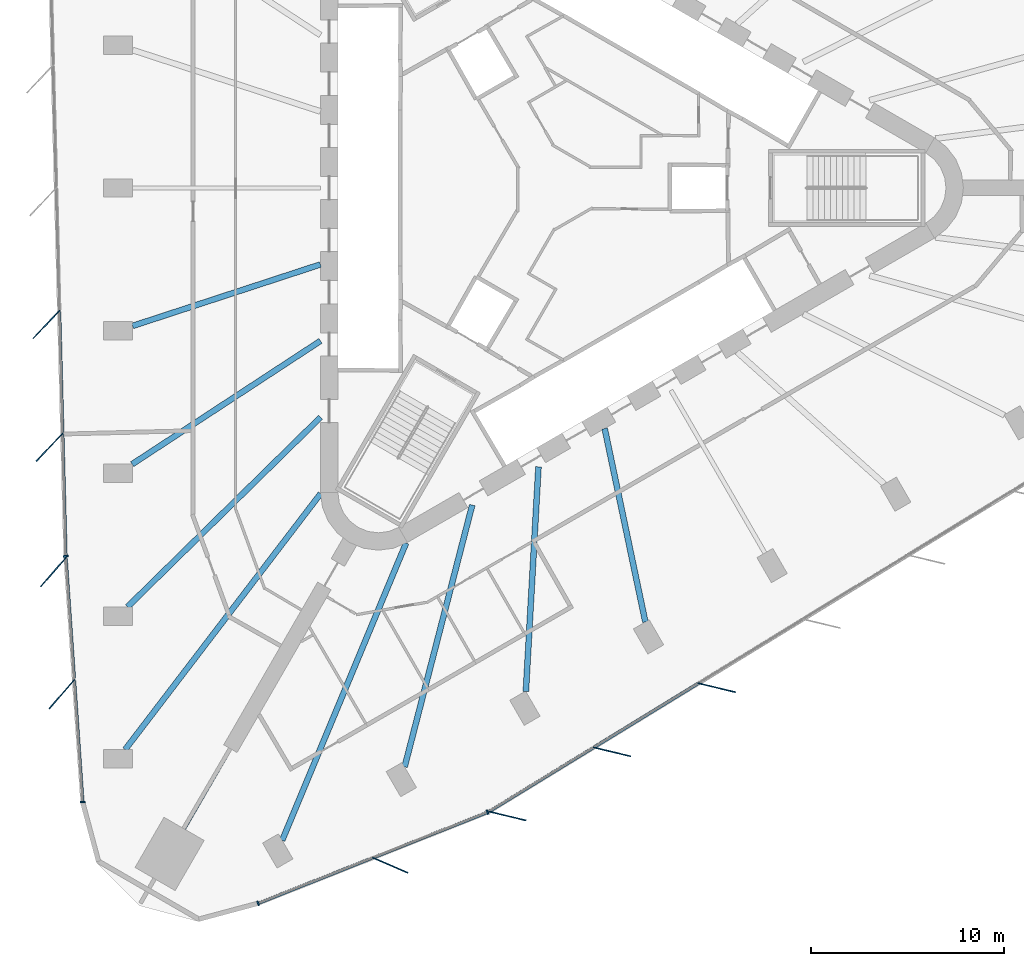
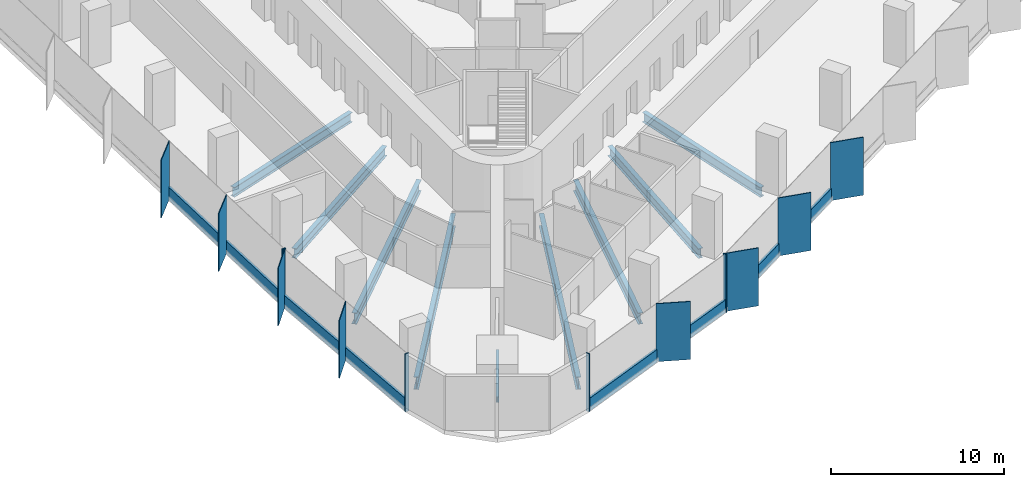
# One storey, part 2 of 14: 20 members, 9 beams, 4 elements without a shape of their own.
"""IFC4 building model written with IfcOpenShell, lengths in metres."""

from ifc_helpers import new_model, si_unit, direction, frame, origin, origin_2d, place, context, subcontext, project, spatial, rectangle, i_section, extrude, material, material_profile, profile_set, type_object, element, aggregate, save


model = new_model("IFC4")

# Units and contexts
model_context = context("Model", 3, precision=1e-05, world=origin(), true_north=direction((0.0, 1.0)))
body_context = subcontext(model_context, "Body", "Model", "MODEL_VIEW")
ifc_project = project(units=[si_unit("LENGTHUNIT", "METRE"), si_unit("AREAUNIT", "SQUARE_METRE"), si_unit("VOLUMEUNIT", "CUBIC_METRE"), si_unit("PLANEANGLEUNIT", "RADIAN"), si_unit("MASSUNIT", "GRAM", prefix="KILO")], contexts=[model_context])

# Site, building, storey
site_placement = place(None, origin())
site = spatial("IfcSite", under=ifc_project, at=site_placement, CompositionType="ELEMENT")
building_placement = place(site_placement, origin())
building = spatial("IfcBuilding", under=site, at=building_placement, Name="Tanit Gate Tower", CompositionType="ELEMENT")
storey_placement = place(building_placement, frame((0.0, 0.0, 148.0)))
storey = spatial("IfcBuildingStorey", under=building, at=storey_placement, Name="L32", CompositionType="ELEMENT", Elevation=148.0)

# Curtain wall, members
ifc_material_1 = material(Name="Aluminium bronze anodised and glass", Category="aluminium")
curtain_wall_type = type_object("IfcCurtainWallType", Name="Curtain wall typical low", PredefinedType="NOTDEFINED", material=ifc_material_1)
curtain_wall_1_placement = place(storey_placement, origin())
curtain_wall_1 = element("IfcCurtainWall", 1, at=curtain_wall_1_placement, inside=storey, type_object=curtain_wall_type, Name="Curtain wall L32 W2", PredefinedType="NOTDEFINED")
ifc_material_2 = material(Name="Aluminium bronze anodised", Category="aluminium")
ifc_material_profile_1 = material_profile(ifc_material_2, rectangle(XDim=2.0, YDim=0.055908203125, at=origin_2d()), Name="56x2000 bronze fin mullion")
ifc_profile_set_1 = profile_set([ifc_material_profile_1], Name="Aluminium bronze anodised")
member_type_1 = type_object("IfcMemberType", Name="FIN MULLION 56x2000 bronze", PredefinedType="MULLION", material=ifc_profile_set_1)
member_1_placement = place(storey_placement, frame((-26.29541015625, -7.067138671875, -0.300048828125), z_axis=(0.0, 0.0, 1.0), x_axis=(0.688538110764, 0.725200158595, 0.0)))
member_1 = element("IfcMember", 2, at=member_1_placement, type_object=member_type_1, Name="Fin mullion L32 W2.5", PredefinedType="MULLION", context=body_context, shape_type="SweptSolid", body=[
    extrude(rectangle(XDim=2.0, YDim=0.055908203125, at=origin_2d()), origin(), (0.0, 0.0, 1.0), 4.10009765625),
])
member_2_placement = place(storey_placement, frame((-26.130615234375, -13.4248046875, -0.300048828125), z_axis=(0.0, 0.0, 1.0), x_axis=(0.688538110764, 0.725200158595, 0.0)))
member_2 = element("IfcMember", 3, at=member_2_placement, type_object=member_type_1, Name="Fin mullion L32 W2.6", PredefinedType="MULLION", context=body_context, shape_type="SweptSolid", body=[
    extrude(rectangle(XDim=2.0, YDim=0.055908203125, at=origin_2d()), origin(), (0.0, 0.0, 1.0), 4.10009765625),
])

curtain_wall_2_placement = place(storey_placement, origin())
curtain_wall_2 = element("IfcCurtainWall", 4, at=curtain_wall_2_placement, inside=storey, type_object=curtain_wall_type, Name="Curtain wall L32 W3", PredefinedType="NOTDEFINED")
member_3_placement = place(storey_placement, frame((-25.930908203125, -19.890625, -0.300048828125), z_axis=(0.0, 0.0, 1.0), x_axis=(0.656773444634, 0.754087954037, 0.0)))
member_3 = element("IfcMember", 5, at=member_3_placement, type_object=member_type_1, Name="Fin mullion L32 W3.1", PredefinedType="MULLION", context=body_context, shape_type="SweptSolid", body=[
    extrude(rectangle(XDim=2.0, YDim=0.055908203125, at=origin_2d()), origin(), (0.0, 0.0, 1.0), 4.10009765625),
])
member_4_placement = place(storey_placement, frame((-25.49462890625, -26.216796875, -0.300048828125), z_axis=(0.0, 0.0, 1.0), x_axis=(0.656773444634, 0.754087954037, 0.0)))
member_4 = element("IfcMember", 6, at=member_4_placement, type_object=member_type_1, Name="Fin mullion L32 W3.2", PredefinedType="MULLION", context=body_context, shape_type="SweptSolid", body=[
    extrude(rectangle(XDim=2.0, YDim=0.055908203125, at=origin_2d()), origin(), (0.0, 0.0, 1.0), 4.10009765625),
])

# Curtain wall, member
curtain_wall_3_placement = place(storey_placement, origin())
curtain_wall_3 = element("IfcCurtainWall", 7, at=curtain_wall_3_placement, inside=storey, type_object=curtain_wall_type, Name="Curtain wall L32 SE1", PredefinedType="NOTDEFINED")
member_5_placement = place(storey_placement, frame((-8.491943359375, -35.07861328125, -0.300048828125), z_axis=(0.0, 0.0, 1.0), x_axis=(-0.918101720276, 0.396344838778, 0.0)))
member_5 = element("IfcMember", 8, at=member_5_placement, type_object=member_type_1, Name="Fin mullion L32 SE1.2", PredefinedType="MULLION", context=body_context, shape_type="SweptSolid", body=[
    extrude(rectangle(XDim=2.0, YDim=0.055908203125, at=origin_2d()), origin(), (0.0, 0.0, 1.0), 4.10009765625),
])

# Curtain wall, members
curtain_wall_4_placement = place(storey_placement, origin())
curtain_wall_4 = element("IfcCurtainWall", 9, at=curtain_wall_4_placement, inside=storey, type_object=curtain_wall_type, Name="Curtain wall L32 SE2", PredefinedType="NOTDEFINED")
member_6_placement = place(storey_placement, frame((-2.42578125, -32.525390625, -0.300048828125), z_axis=(0.0, 0.0, 1.0), x_axis=(-0.972310815553, 0.233691416098, 0.0)))
member_6 = element("IfcMember", 10, at=member_6_placement, type_object=member_type_1, Name="Fin mullion L32 SE2.1", PredefinedType="MULLION", context=body_context, shape_type="SweptSolid", body=[
    extrude(rectangle(XDim=2.0, YDim=0.055908203125, at=origin_2d()), origin(), (0.0, 0.0, 1.0), 4.10009765625),
])
member_7_placement = place(storey_placement, frame((2.997802734375, -29.203857421875, -0.300048828125), z_axis=(0.0, 0.0, 1.0), x_axis=(-0.972310815553, 0.233691416098, 0.0)))
member_7 = element("IfcMember", 11, at=member_7_placement, type_object=member_type_1, Name="Fin mullion L32 SE2.2", PredefinedType="MULLION", context=body_context, shape_type="SweptSolid", body=[
    extrude(rectangle(XDim=2.0, YDim=0.055908203125, at=origin_2d()), origin(), (0.0, 0.0, 1.0), 4.10009765625),
])
member_8_placement = place(storey_placement, frame((8.421142578125, -25.882080078125, -0.300048828125), z_axis=(0.0, 0.0, 1.0), x_axis=(-0.972310815553, 0.233691416098, 0.0)))
member_8 = element("IfcMember", 12, at=member_8_placement, type_object=member_type_1, Name="Fin mullion L32 SE2.3", PredefinedType="MULLION", context=body_context, shape_type="SweptSolid", body=[
    extrude(rectangle(XDim=2.0, YDim=0.055908203125, at=origin_2d()), origin(), (0.0, 0.0, 1.0), 4.10009765625),
])

# Member
ifc_material_3 = material(Name="Aluminium bronze anodised", Category="aluminium")
ifc_material_profile_2 = material_profile(ifc_material_3, rectangle(XDim=0.239990234375, YDim=0.080078125, at=origin_2d()), Name="80x240 bronze mullion")
ifc_profile_set_2 = profile_set([ifc_material_profile_2], Name="Aluminium bronze anodised")
member_type_2 = type_object("IfcMemberType", Name="Mullion 80x240 typical low", PredefinedType="MULLION", material=ifc_profile_set_2)
member_9_placement = place(storey_placement, frame((-25.292724609375, -19.07373046875, -0.300048828125), z_axis=(0.0, 0.0, 1.0), x_axis=(0.999663917086, 0.025923982634, 0.0)))
member_9 = element("IfcMember", 13, at=member_9_placement, type_object=member_type_2, Name="Mullion L32 W2.7", PredefinedType="MULLION", context=body_context, shape_type="SweptSolid", body=[
    extrude(rectangle(XDim=0.239990234375, YDim=0.080078125, at=origin_2d()), origin(), (0.0, 0.0, 1.0), 4.10009765625),
])

member_10_placement = place(storey_placement, frame((-24.416259765625, -31.80615234375, -0.300048828125), z_axis=(0.0, 0.0, 1.0), x_axis=(0.997629662315, 0.068811749506, 0.0)))
member_10 = element("IfcMember", 14, at=member_10_placement, type_object=member_type_2, Name="Mullion L32 W3.3", PredefinedType="MULLION", context=body_context, shape_type="SweptSolid", body=[
    extrude(rectangle(XDim=0.239990234375, YDim=0.080078125, at=origin_2d()), origin(), (0.0, 0.0, 1.0), 4.10009765625),
])

member_11_placement = place(storey_placement, frame((-15.3310546875, -37.0498046875, -0.300048828125), z_axis=(0.0, 0.0, 1.0), x_axis=(-0.368937829038, 0.929454075414, 0.0)))
member_11 = element("IfcMember", 15, at=member_11_placement, type_object=member_type_2, Name="Mullion L32 SE1.1", PredefinedType="MULLION", context=body_context, shape_type="SweptSolid", body=[
    extrude(rectangle(XDim=0.239990234375, YDim=0.080078125, at=origin_2d()), origin(), (0.0, 0.0, 1.0), 4.10009765625),
])

member_12_placement = place(storey_placement, frame((-3.447265625, -32.332763671875, -0.300048828125), z_axis=(0.0, 0.0, 1.0), x_axis=(-0.368937829038, 0.929454075414, 0.0)))
member_12 = element("IfcMember", 16, at=member_12_placement, type_object=member_type_2, Name="Mullion L32 SE1.3", PredefinedType="MULLION", context=body_context, shape_type="SweptSolid", body=[
    extrude(rectangle(XDim=0.239990234375, YDim=0.080078125, at=origin_2d()), origin(), (0.0, 0.0, 1.0), 4.10009765625),
])

# Beams
ifc_material_4 = material(Name="Steel S355", Category="steel")
ifc_material_profile_3 = material_profile(ifc_material_4, i_section(OverallWidth=0.300048828125, OverallDepth=0.68994140625, WebThickness=0.014404296875, FlangeThickness=0.027099609375, FilletRadius=0.027099609375, at=origin_2d()), Name="HEA 700")
ifc_profile_set_3 = profile_set([ifc_material_profile_3], Name="Steel S355")
beam_type_1 = type_object("IfcBeamType", Name="RADIAL GIRDER HEA 700 S355", PredefinedType="BEAM", material=ifc_profile_set_3)
beam_1_placement = place(storey_placement, frame((-21.83251953125, -7.14599609375, -0.64501953125), z_axis=(0.950388541719, 0.311065298242, 0.0), x_axis=(-0.311065298242, 0.950388541719, 0.0)))
element("IfcBeam", 17, at=beam_1_placement, inside=storey, type_object=beam_type_1, Name="RADIAL GIRDER", PredefinedType="BEAM", context=body_context, shape_type="SweptSolid", body=[
    extrude(i_section(OverallWidth=0.300048828125, OverallDepth=0.68994140625, WebThickness=0.014404296875, FlangeThickness=0.027099609375, FilletRadius=0.027099609375, at=origin_2d()), origin(), (0.0, 0.0, 1.0), 10.238525390625),
])
beam_2_placement = place(storey_placement, frame((-21.856689453125, -14.307861328125, -0.64501953125), z_axis=(0.836666622901, 0.547712481256, 0.0), x_axis=(-0.547712481256, 0.836666622901, 0.0)))
element("IfcBeam", 18, at=beam_2_placement, inside=storey, type_object=beam_type_1, Name="RADIAL GIRDER", PredefinedType="BEAM", context=body_context, shape_type="SweptSolid", body=[
    extrude(i_section(OverallWidth=0.300048828125, OverallDepth=0.68994140625, WebThickness=0.014404296875, FlangeThickness=0.027099609375, FilletRadius=0.027099609375, at=origin_2d()), origin(), (0.0, 0.0, 1.0), 11.658935546875),
])
beam_3_placement = place(storey_placement, frame((-1.46240234375, -26.08251953125, -0.64501953125), z_axis=(0.055972182093, 0.998432328619, 0.0), x_axis=(-0.998432328619, 0.055972182093, 0.0)))
element("IfcBeam", 19, at=beam_3_placement, inside=storey, type_object=beam_type_1, Name="RADIAL GIRDER", PredefinedType="BEAM", context=body_context, shape_type="SweptSolid", body=[
    extrude(i_section(OverallWidth=0.300048828125, OverallDepth=0.68994140625, WebThickness=0.014404296875, FlangeThickness=0.027099609375, FilletRadius=0.027099609375, at=origin_2d()), origin(), (0.0, 0.0, 1.0), 11.6591796875),
])
beam_4_placement = place(storey_placement, frame((4.7275390625, -22.48046875, -0.64501953125), z_axis=(-0.205786947525, 0.978596818015, 0.0), x_axis=(-0.978596818015, -0.205786947525, 0.0)))
element("IfcBeam", 20, at=beam_4_placement, inside=storey, type_object=beam_type_1, Name="RADIAL GIRDER", PredefinedType="BEAM", context=body_context, shape_type="SweptSolid", body=[
    extrude(i_section(OverallWidth=0.300048828125, OverallDepth=0.68994140625, WebThickness=0.014404296875, FlangeThickness=0.027099609375, FilletRadius=0.027099609375, at=origin_2d()), origin(), (0.0, 0.0, 1.0), 10.238525390625),
])
ifc_material_5 = material(Name="Steel S355", Category="steel")
ifc_material_profile_4 = material_profile(ifc_material_5, i_section(OverallWidth=0.300048828125, OverallDepth=0.7900390625, WebThickness=0.014892578125, FlangeThickness=0.028076171875, FilletRadius=0.030029296875, at=origin_2d()), Name="HEA 800")
ifc_profile_set_4 = profile_set([ifc_material_profile_4], Name="Steel S355")
beam_type_2 = type_object("IfcBeamType", Name="RADIAL GIRDER HEA 800 S355", PredefinedType="BEAM", material=ifc_profile_set_4)
for number, where, z_axis, x_axis, name in (
    (21, (-22.0986328125, -21.69921875, -0.695068359375), (0.713525004951, 0.70062976479, 0.0), (-0.70062976479, 0.713525004951, 0.0), "RADIAL GIRDER"),
    (22, (-7.742919921875, -29.98779296875, -0.695068359375), (0.250007137307, 0.968243993679, 0.0), (-0.968243993679, 0.250007137307, 0.0), "RADIAL GIRDER"),
):
    element("IfcBeam", number, at=place(storey_placement, frame(where, z_axis=z_axis, x_axis=x_axis)), inside=storey, type_object=beam_type_2, Name=name, PredefinedType="BEAM", context=body_context, shape_type="SweptSolid", body=[
        extrude(i_section(OverallWidth=0.300048828125, OverallDepth=0.7900390625, WebThickness=0.014892578125, FlangeThickness=0.028076171875, FilletRadius=0.030029296875, at=origin_2d()), origin(), (0.0, 0.0, 1.0), 14.01025390625),
    ])
ifc_material_6 = material(Name="Steel S355", Category="steel")
ifc_material_profile_5 = material_profile(ifc_material_6, i_section(OverallWidth=0.300048828125, OverallDepth=0.889892578125, WebThickness=0.01611328125, FlangeThickness=0.030029296875, FilletRadius=0.030029296875, at=origin_2d()), Name="HEA 900")
ifc_profile_set_5 = profile_set([ifc_material_profile_5], Name="Steel S355")
beam_type_3 = type_object("IfcBeamType", Name="RADIAL GIRDER HEA 900 S355", PredefinedType="BEAM", material=ifc_profile_set_5)
for number, where, z_axis, x_axis, name in (
    (23, (-22.219482421875, -29.0908203125, -0.7451171875), (0.606989396765, 0.794709929606, 0.0), (-0.794709929606, 0.606989396765, 0.0), "RADIAL GIRDER"),
    (24, (-14.08349609375, -33.7880859375, -0.7451171875), (0.384731757577, 0.923028425733, 0.0), (-0.923028425733, 0.384731757577, 0.0), "RADIAL GIRDER"),
):
    element("IfcBeam", number, at=place(storey_placement, frame(where, z_axis=z_axis, x_axis=x_axis)), inside=storey, type_object=beam_type_3, Name=name, PredefinedType="BEAM", context=body_context, shape_type="SweptSolid", body=[
        extrude(i_section(OverallWidth=0.300048828125, OverallDepth=0.889892578125, WebThickness=0.01611328125, FlangeThickness=0.030029296875, FilletRadius=0.030029296875, at=origin_2d()), origin(), (0.0, 0.0, 1.0), 16.68359375),
    ])
ifc_material_7 = material(Name="Steel S355", Category="steel")
ifc_material_profile_6 = material_profile(ifc_material_7, i_section(OverallWidth=0.179931640625, OverallDepth=0.39990234375, WebThickness=0.008544921875, FlangeThickness=0.013427734375, FilletRadius=0.02099609375, at=origin_2d()), Name="IPE 400")
ifc_profile_set_6 = profile_set([ifc_material_profile_6], Name="Steel S355")
beam_type_4 = type_object("IfcBeamType", Name="RADIAL GIRDER IPE 400 S355", PredefinedType="BEAM", material=ifc_profile_set_6)
beam_5_placement = place(storey_placement, frame((-19.1650390625, -33.19482421875, -0.5), z_axis=(0.499998569178, 0.866026229868, 0.0), x_axis=(-0.866026229868, 0.499998569178, 0.0)))
element("IfcBeam", 25, at=beam_5_placement, inside=storey, type_object=beam_type_4, Name="RADIAL GIRDER", PredefinedType="BEAM", context=body_context, shape_type="SweptSolid", body=[
    extrude(i_section(OverallWidth=0.179931640625, OverallDepth=0.39990234375, WebThickness=0.008544921875, FlangeThickness=0.013427734375, FilletRadius=0.02099609375, at=origin_2d()), origin(), (0.0, 0.0, 1.0), 4.79638671875),
])

# Member
ifc_material_8 = material(Name="Aluminium bronze anodised", Category="aluminium")
ifc_material_profile_7 = material_profile(ifc_material_8, rectangle(XDim=0.159912109375, YDim=0.89990234375, at=origin_2d()), Name="160x900 bronze transom")
ifc_profile_set_7 = profile_set([ifc_material_profile_7], Name="Aluminium bronze anodised")
member_type_3 = type_object("IfcMemberType", Name="Transom 160x900 typical low", PredefinedType="USERDEFINED", material=ifc_profile_set_7)
member_13_placement = place(storey_placement, frame((-25.62158203125, -6.3984375, 0.14990234375), z_axis=(0.025931462812, -0.999663723077, 0.0), x_axis=(0.999663723077, 0.025931462812, 0.0)))
member_13 = element("IfcMember", 26, at=member_13_placement, type_object=member_type_3, Name="Transom L32 W2.5", ObjectType="TRANSOM", PredefinedType="USERDEFINED", context=body_context, shape_type="SweptSolid", body=[
    extrude(rectangle(XDim=0.159912109375, YDim=0.89990234375, at=origin_2d()), origin(), (0.0, 0.0, 1.0), 6.27978515625),
])

member_14_placement = place(storey_placement, frame((-25.45654296875, -12.756103515625, 0.14990234375), z_axis=(0.025931462812, -0.999663723077, 0.0), x_axis=(0.999663723077, 0.025931462812, 0.0)))
member_14 = element("IfcMember", 27, at=member_14_placement, type_object=member_type_3, Name="Transom L32 W2.6", ObjectType="TRANSOM", PredefinedType="USERDEFINED", context=body_context, shape_type="SweptSolid", body=[
    extrude(rectangle(XDim=0.159912109375, YDim=0.89990234375, at=origin_2d()), origin(), (0.0, 0.0, 1.0), 6.27978515625),
])

aggregate(curtain_wall_1, [member_1, member_2, member_9, member_13, member_14])

member_15_placement = place(storey_placement, frame((-25.2861328125, -19.193603515625, 0.14990234375), z_axis=(0.068783356585, -0.997631620317, 0.0), x_axis=(0.997631620317, 0.068783356585, 0.0)))
member_15 = element("IfcMember", 28, at=member_15_placement, type_object=member_type_3, Name="Transom L32 W3.1", ObjectType="TRANSOM", PredefinedType="USERDEFINED", context=body_context, shape_type="SweptSolid", body=[
    extrude(rectangle(XDim=0.159912109375, YDim=0.89990234375, at=origin_2d()), origin(), (0.0, 0.0, 1.0), 6.26123046875),
])

member_16_placement = place(storey_placement, frame((-24.849853515625, -25.519775390625, 0.14990234375), z_axis=(0.068822164781, -0.997628943864, 0.0), x_axis=(0.997628943864, 0.068822164781, 0.0)))
member_16 = element("IfcMember", 29, at=member_16_placement, type_object=member_type_3, Name="Transom L32 W3.2", ObjectType="TRANSOM", PredefinedType="USERDEFINED", context=body_context, shape_type="SweptSolid", body=[
    extrude(rectangle(XDim=0.159912109375, YDim=0.89990234375, at=origin_2d()), origin(), (0.0, 0.0, 1.0), 6.26123046875),
])

aggregate(curtain_wall_2, [member_3, member_4, member_10, member_15, member_16])

member_17_placement = place(storey_placement, frame((-15.293701171875, -37.034912109375, 0.14990234375), z_axis=(0.929462927587, 0.368915527244, 0.0), x_axis=(-0.368915527244, 0.929462927587, 0.0)))
member_17 = element("IfcMember", 30, at=member_17_placement, type_object=member_type_3, Name="Transom L32 SE1.1", ObjectType="TRANSOM", PredefinedType="USERDEFINED", context=body_context, shape_type="SweptSolid", body=[
    extrude(rectangle(XDim=0.159912109375, YDim=0.89990234375, at=origin_2d()), origin(), (0.0, 0.0, 1.0), 6.312744140625),
])

member_18_placement = place(storey_placement, frame((-9.35205078125, -34.676513671875, 0.14990234375), z_axis=(0.929449665967, 0.368948937433, 0.0), x_axis=(-0.368948937433, 0.929449665967, 0.0)))
member_18 = element("IfcMember", 31, at=member_18_placement, type_object=member_type_3, Name="Transom L32 SE1.2", ObjectType="TRANSOM", PredefinedType="USERDEFINED", context=body_context, shape_type="SweptSolid", body=[
    extrude(rectangle(XDim=0.159912109375, YDim=0.89990234375, at=origin_2d()), origin(), (0.0, 0.0, 1.0), 6.312744140625),
])

aggregate(curtain_wall_3, [member_11, member_5, member_12, member_17, member_18])

member_19_placement = place(storey_placement, frame((-3.342041015625, -32.276123046875, 0.14990234375), z_axis=(0.852774977088, 0.522278506597, 0.0), x_axis=(-0.522278506597, 0.852774977088, 0.0)))
member_19 = element("IfcMember", 32, at=member_19_placement, type_object=member_type_3, Name="Transom L32 SE2.1", ObjectType="TRANSOM", PredefinedType="USERDEFINED", context=body_context, shape_type="SweptSolid", body=[
    extrude(rectangle(XDim=0.159912109375, YDim=0.89990234375, at=origin_2d()), origin(), (0.0, 0.0, 1.0), 6.27978515625),
])

member_20_placement = place(storey_placement, frame((2.08154296875, -28.95458984375, 0.14990234375), z_axis=(0.852757661536, 0.522306778333, 0.0), x_axis=(-0.522306778333, 0.852757661536, 0.0)))
member_20 = element("IfcMember", 33, at=member_20_placement, type_object=member_type_3, Name="Transom L32 SE2.2", ObjectType="TRANSOM", PredefinedType="USERDEFINED", context=body_context, shape_type="SweptSolid", body=[
    extrude(rectangle(XDim=0.159912109375, YDim=0.89990234375, at=origin_2d()), origin(), (0.0, 0.0, 1.0), 6.27978515625),
])

aggregate(curtain_wall_4, [member_6, member_7, member_8, member_19, member_20])

save(model, "model.ifc")
